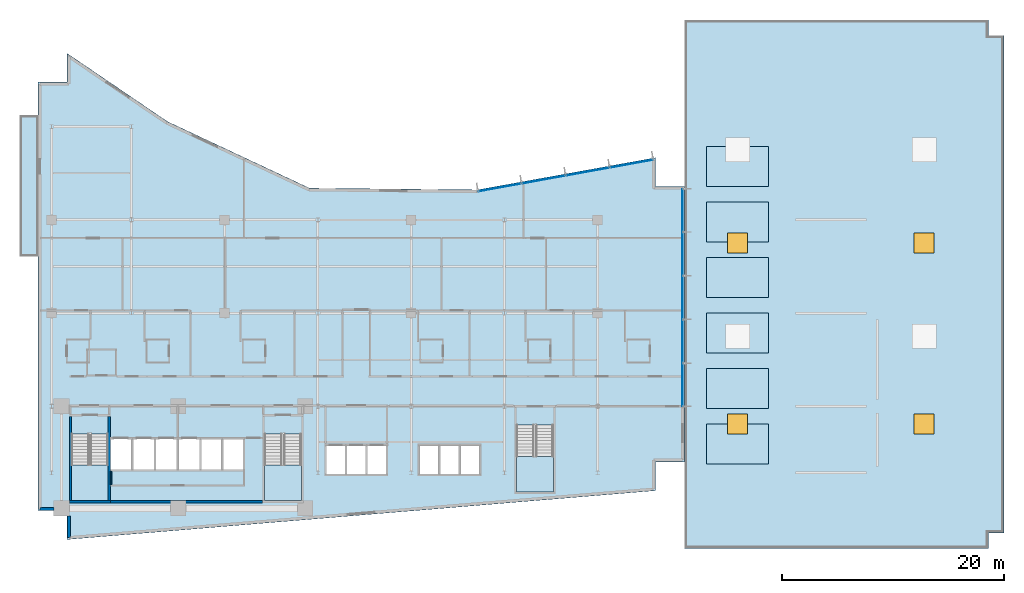
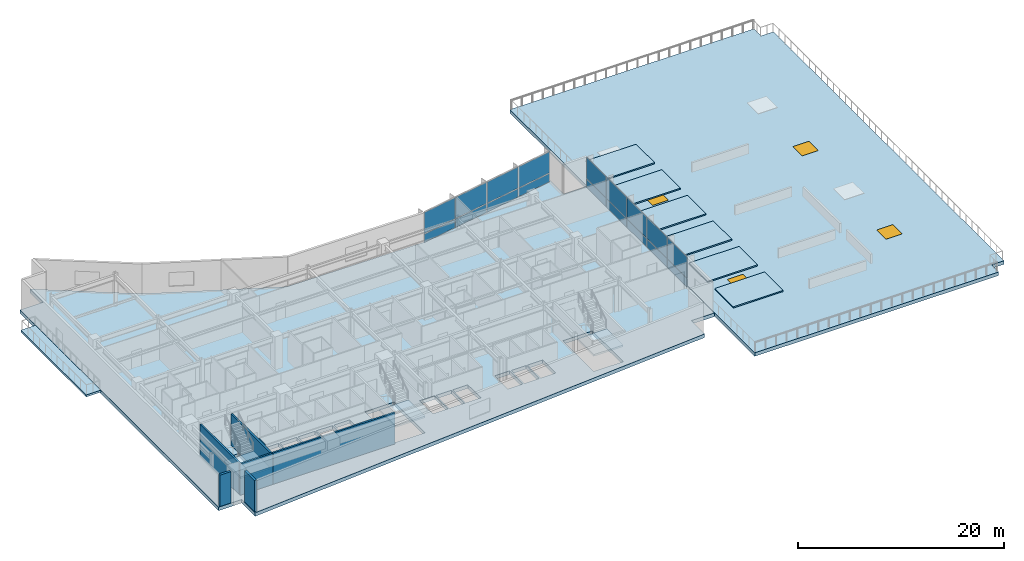
# One storey, part 9 of 20: 18 plates, 12 slabs, 7 walls, 4 windows, 4 openings, 5 elements without a shape of their own.
"""IFC4 building model written with IfcOpenShell, lengths in metres."""

from ifc_helpers import new_model, si_unit, direction, frame, frame_2d, origin, origin_2d, place, context, subcontext, project, spatial, polyline, rectangle, outline, extrude, material, layer, layer_set, type_object, element, fill, aggregate, save


model = new_model("IFC4")

# Units and contexts
model_context = context("Model", 3, precision=1e-05, world=origin(), true_north=direction((0.0, 1.0)))
body_context = subcontext(model_context, "Body", "Model", "MODEL_VIEW")
ifc_project = project(units=[si_unit("LENGTHUNIT", "METRE"), si_unit("AREAUNIT", "SQUARE_METRE"), si_unit("VOLUMEUNIT", "CUBIC_METRE"), si_unit("PLANEANGLEUNIT", "RADIAN"), si_unit("MASSUNIT", "GRAM", prefix="KILO")], contexts=[model_context])

# Site, building, storey
site_placement = place(None, origin())
site = spatial("IfcSite", under=ifc_project, at=site_placement, CompositionType="ELEMENT")
building_placement = place(site_placement, origin())
building = spatial("IfcBuilding", under=site, at=building_placement, Name="Varnakote Quay Hospital", CompositionType="ELEMENT")
storey_placement = place(building_placement, frame((0.0, 0.0, 22.5)))
storey = spatial("IfcBuildingStorey", under=building, at=storey_placement, Name="L05", CompositionType="ELEMENT", Elevation=22.5)

# Curtain wall, plates
ifc_material_1 = material(Name="Anodised aluminium 6063-T6 Bronze", Category="aluminium")
ifc_layer_1 = layer(ifc_material_1, 0.18994140625)
ifc_layer_set_1 = layer_set([ifc_layer_1], Name="Anodised aluminium 6063-T6 Bronze")
curtain_wall_type = type_object("IfcCurtainWallType", Name="CW-SYS-2", PredefinedType="NOTDEFINED", material=ifc_layer_set_1)
curtain_wall_1_placement = place(storey_placement, origin())
curtain_wall_1 = element("IfcCurtainWall", 1, at=curtain_wall_1_placement, inside=storey, type_object=curtain_wall_type, Name="L05 Unitised Bronze Curtain Wall 1", PredefinedType="NOTDEFINED")
ifc_material_2 = material(Name="Double-glazed acoustic laminated glass", Category="glass")
ifc_layer_2 = layer(ifc_material_2, 0.031982421875)
ifc_layer_set_2 = layer_set([ifc_layer_2], Name="Double-glazed acoustic laminated glass")
plate_type = type_object("IfcPlateType", Name="CW-PNL-GLZ-32", PredefinedType="CURTAIN_PANEL", material=ifc_layer_set_2)
plate_1_placement = place(storey_placement, frame((58.0400390625, 13.937744140625, 0.0751953125), z_axis=(0.0, 0.0, 1.0), x_axis=(0.0, 1.0, 0.0)))
plate_1 = element("IfcPlate", 2, at=plate_1_placement, type_object=plate_type, Name="-2-L05-1 panel 1.1", PredefinedType="CURTAIN_PANEL", context=body_context, shape_type="SweptSolid", body=[
    extrude(rectangle(XDim=3.825439453125, YDim=0.031982421875, at=origin_2d()), origin(), (0.0, 0.0, 1.0), 0.987548828125),
])
plate_2_placement = place(storey_placement, frame((58.0400390625, 13.937744140625, 1.137451171875), z_axis=(0.0, 0.0, 1.0), x_axis=(0.0, 1.0, 0.0)))
plate_2 = element("IfcPlate", 3, at=plate_2_placement, type_object=plate_type, Name="-2-L05-1 panel 1.2", PredefinedType="CURTAIN_PANEL", context=body_context, shape_type="SweptSolid", body=[
    extrude(rectangle(XDim=3.825439453125, YDim=0.031982421875, at=origin_2d()), origin(), (0.0, 0.0, 1.0), 2.49755859375),
])
plate_3_placement = place(storey_placement, frame((58.0400390625, 17.85693359375, 0.0751953125), z_axis=(0.0, 0.0, 1.0), x_axis=(0.0, 1.0, 0.0)))
plate_3 = element("IfcPlate", 4, at=plate_3_placement, type_object=plate_type, Name="-2-L05-1 panel 2.1", PredefinedType="CURTAIN_PANEL", context=body_context, shape_type="SweptSolid", body=[
    extrude(rectangle(XDim=3.863037109375, YDim=0.031982421875, at=origin_2d()), origin(), (0.0, 0.0, 1.0), 0.987548828125),
])
plate_4_placement = place(storey_placement, frame((58.0400390625, 17.85693359375, 1.137451171875), z_axis=(0.0, 0.0, 1.0), x_axis=(0.0, 1.0, 0.0)))
plate_4 = element("IfcPlate", 5, at=plate_4_placement, type_object=plate_type, Name="-2-L05-1 panel 2.2", PredefinedType="CURTAIN_PANEL", context=body_context, shape_type="SweptSolid", body=[
    extrude(rectangle(XDim=3.863037109375, YDim=0.031982421875, at=origin_2d()), origin(), (0.0, 0.0, 1.0), 2.49755859375),
])
plate_5_placement = place(storey_placement, frame((58.0400390625, 21.794921875, 0.0751953125), z_axis=(0.0, 0.0, 1.0), x_axis=(0.0, 1.0, 0.0)))
plate_5 = element("IfcPlate", 6, at=plate_5_placement, type_object=plate_type, Name="-2-L05-1 panel 3.1", PredefinedType="CURTAIN_PANEL", context=body_context, shape_type="SweptSolid", body=[
    extrude(rectangle(XDim=3.863037109375, YDim=0.031982421875, at=origin_2d()), origin(), (0.0, 0.0, 1.0), 0.987548828125),
])
plate_6_placement = place(storey_placement, frame((58.0400390625, 21.794921875, 1.137451171875), z_axis=(0.0, 0.0, 1.0), x_axis=(0.0, 1.0, 0.0)))
plate_6 = element("IfcPlate", 7, at=plate_6_placement, type_object=plate_type, Name="-2-L05-1 panel 3.2", PredefinedType="CURTAIN_PANEL", context=body_context, shape_type="SweptSolid", body=[
    extrude(rectangle(XDim=3.863037109375, YDim=0.031982421875, at=origin_2d()), origin(), (0.0, 0.0, 1.0), 2.49755859375),
])
plate_7_placement = place(storey_placement, frame((58.0400390625, 25.73291015625, 0.0751953125), z_axis=(0.0, 0.0, 1.0), x_axis=(0.0, 1.0, 0.0)))
plate_7 = element("IfcPlate", 8, at=plate_7_placement, type_object=plate_type, Name="-2-L05-1 panel 4.1", PredefinedType="CURTAIN_PANEL", context=body_context, shape_type="SweptSolid", body=[
    extrude(rectangle(XDim=3.863037109375, YDim=0.031982421875, at=origin_2d()), origin(), (0.0, 0.0, 1.0), 0.987548828125),
])
plate_8_placement = place(storey_placement, frame((58.0400390625, 25.73291015625, 1.137451171875), z_axis=(0.0, 0.0, 1.0), x_axis=(0.0, 1.0, 0.0)))
plate_8 = element("IfcPlate", 9, at=plate_8_placement, type_object=plate_type, Name="-2-L05-1 panel 4.2", PredefinedType="CURTAIN_PANEL", context=body_context, shape_type="SweptSolid", body=[
    extrude(rectangle(XDim=3.863037109375, YDim=0.031982421875, at=origin_2d()), origin(), (0.0, 0.0, 1.0), 2.49755859375),
])
plate_9_placement = place(storey_placement, frame((58.0400390625, 29.65234375, 0.0751953125), z_axis=(0.0, 0.0, 1.0), x_axis=(0.0, 1.0, 0.0)))
plate_9 = element("IfcPlate", 10, at=plate_9_placement, type_object=plate_type, Name="-2-L05-1 panel 5.1", PredefinedType="CURTAIN_PANEL", context=body_context, shape_type="SweptSolid", body=[
    extrude(rectangle(XDim=3.825439453125, YDim=0.031982421875, at=origin_2d()), origin(), (0.0, 0.0, 1.0), 0.987548828125),
])
plate_10_placement = place(storey_placement, frame((58.0400390625, 29.65234375, 1.137451171875), z_axis=(0.0, 0.0, 1.0), x_axis=(0.0, 1.0, 0.0)))
plate_10 = element("IfcPlate", 11, at=plate_10_placement, type_object=plate_type, Name="-2-L05-1 panel 5.2", PredefinedType="CURTAIN_PANEL", context=body_context, shape_type="SweptSolid", body=[
    extrude(rectangle(XDim=3.825439453125, YDim=0.031982421875, at=origin_2d()), origin(), (0.0, 0.0, 1.0), 2.49755859375),
])
aggregate(curtain_wall_1, [plate_1, plate_2, plate_3, plate_4, plate_5, plate_6, plate_7, plate_8, plate_9, plate_10])

curtain_wall_2_placement = place(storey_placement, origin())
curtain_wall_2 = element("IfcCurtainWall", 12, at=curtain_wall_2_placement, inside=storey, type_object=curtain_wall_type, Name="L05 Unitised Bronze Curtain Wall 2", PredefinedType="NOTDEFINED")
plate_11_placement = place(storey_placement, frame((53.440185546875, 33.84716796875, 0.0751953125), z_axis=(0.0, 0.0, 1.0), x_axis=(-0.984058295766, -0.177846199098, 0.0)))
plate_11 = element("IfcPlate", 13, at=plate_11_placement, type_object=plate_type, Name="-2-L05-2 panel 1.1", PredefinedType="CURTAIN_PANEL", context=body_context, shape_type="SweptSolid", body=[
    extrude(rectangle(XDim=3.914306640625, YDim=0.031982421875, at=origin_2d()), origin(), (0.0, 0.0, 1.0), 0.987548828125),
])
plate_12_placement = place(storey_placement, frame((53.440185546875, 33.84716796875, 1.137451171875), z_axis=(0.0, 0.0, 1.0), x_axis=(-0.984058295766, -0.177846199098, 0.0)))
plate_12 = element("IfcPlate", 14, at=plate_12_placement, type_object=plate_type, Name="-2-L05-2 panel 1.2", PredefinedType="CURTAIN_PANEL", context=body_context, shape_type="SweptSolid", body=[
    extrude(rectangle(XDim=3.914306640625, YDim=0.031982421875, at=origin_2d()), origin(), (0.0, 0.0, 1.0), 2.49755859375),
])
plate_13_placement = place(storey_placement, frame((49.49609375, 33.13427734375, 0.0751953125), z_axis=(0.0, 0.0, 1.0), x_axis=(-0.984058295766, -0.177846199098, 0.0)))
plate_13 = element("IfcPlate", 15, at=plate_13_placement, type_object=plate_type, Name="-2-L05-2 panel 2.1", PredefinedType="CURTAIN_PANEL", context=body_context, shape_type="SweptSolid", body=[
    extrude(rectangle(XDim=3.951904296875, YDim=0.031982421875, at=origin_2d()), origin(), (0.0, 0.0, 1.0), 0.987548828125),
])
plate_14_placement = place(storey_placement, frame((49.49609375, 33.13427734375, 1.137451171875), z_axis=(0.0, 0.0, 1.0), x_axis=(-0.984058295766, -0.177846199098, 0.0)))
plate_14 = element("IfcPlate", 16, at=plate_14_placement, type_object=plate_type, Name="-2-L05-2 panel 2.2", PredefinedType="CURTAIN_PANEL", context=body_context, shape_type="SweptSolid", body=[
    extrude(rectangle(XDim=3.951904296875, YDim=0.031982421875, at=origin_2d()), origin(), (0.0, 0.0, 1.0), 2.49755859375),
])
plate_15_placement = place(storey_placement, frame((45.533447265625, 32.418212890625, 0.0751953125), z_axis=(0.0, 0.0, 1.0), x_axis=(-0.984058295766, -0.177846199098, 0.0)))
plate_15 = element("IfcPlate", 17, at=plate_15_placement, type_object=plate_type, Name="-2-L05-2 panel 3.1", PredefinedType="CURTAIN_PANEL", context=body_context, shape_type="SweptSolid", body=[
    extrude(rectangle(XDim=3.951904296875, YDim=0.031982421875, at=origin_2d()), origin(), (0.0, 0.0, 1.0), 0.987548828125),
])
plate_16_placement = place(storey_placement, frame((45.533447265625, 32.418212890625, 1.137451171875), z_axis=(0.0, 0.0, 1.0), x_axis=(-0.984058295766, -0.177846199098, 0.0)))
plate_16 = element("IfcPlate", 18, at=plate_16_placement, type_object=plate_type, Name="-2-L05-2 panel 3.2", PredefinedType="CURTAIN_PANEL", context=body_context, shape_type="SweptSolid", body=[
    extrude(rectangle(XDim=3.951904296875, YDim=0.031982421875, at=origin_2d()), origin(), (0.0, 0.0, 1.0), 2.49755859375),
])
plate_17_placement = place(storey_placement, frame((41.58935546875, 31.705322265625, 0.0751953125), z_axis=(0.0, 0.0, 1.0), x_axis=(-0.984058295766, -0.177846199098, 0.0)))
plate_17 = element("IfcPlate", 19, at=plate_17_placement, type_object=plate_type, Name="-2-L05-2 panel 4.1", PredefinedType="CURTAIN_PANEL", context=body_context, shape_type="SweptSolid", body=[
    extrude(rectangle(XDim=3.914306640625, YDim=0.031982421875, at=origin_2d()), origin(), (0.0, 0.0, 1.0), 0.987548828125),
])
plate_18_placement = place(storey_placement, frame((41.58935546875, 31.705322265625, 1.137451171875), z_axis=(0.0, 0.0, 1.0), x_axis=(-0.984058295766, -0.177846199098, 0.0)))
plate_18 = element("IfcPlate", 20, at=plate_18_placement, type_object=plate_type, Name="-2-L05-2 panel 4.2", PredefinedType="CURTAIN_PANEL", context=body_context, shape_type="SweptSolid", body=[
    extrude(rectangle(XDim=3.914306640625, YDim=0.031982421875, at=origin_2d()), origin(), (0.0, 0.0, 1.0), 2.49755859375),
])
aggregate(curtain_wall_2, [plate_11, plate_12, plate_13, plate_14, plate_15, plate_16, plate_17, plate_18])

# Slabs
ifc_material_3 = material(Name="Concrete N40 (f'c 40 MPa)", Category="concrete")
ifc_layer_3 = layer(ifc_material_3, 0.14990234375)
ifc_layer_set_3 = layer_set([ifc_layer_3], Name="Concrete N40 (f'c 40 MPa)")
slab_type_1 = type_object("IfcSlabType", Name="SLB-PLANTER-150", PredefinedType="FLOOR", material=ifc_layer_set_3)
slab_1_placement = place(storey_placement, origin())
element("IfcSlab", 21, at=slab_1_placement, inside=storey, type_object=slab_type_1, Name="L05 Podium Garden Planter Bed 1", PredefinedType="FLOOR", context=body_context, shape_type="SweptSolid", body=[
    extrude(outline(polyline([(60.199951171875, 6.800048828125), (65.800048828125, 6.800048828125), (65.800048828125, 10.39990234375), (60.199951171875, 10.39990234375), (60.199951171875, 6.800048828125)])), origin(), (0.0, 0.0, 1.0), 0.14990234375),
])
slab_2_placement = place(storey_placement, origin())
element("IfcSlab", 22, at=slab_2_placement, inside=storey, type_object=slab_type_1, Name="L05 Podium Garden Planter Bed 2", PredefinedType="FLOOR", context=body_context, shape_type="SweptSolid", body=[
    extrude(outline(polyline([(60.199951171875, 11.800048828125), (65.800048828125, 11.800048828125), (65.800048828125, 15.39990234375), (60.199951171875, 15.39990234375), (60.199951171875, 11.800048828125)])), origin(), (0.0, 0.0, 1.0), 0.14990234375),
])
slab_3_placement = place(storey_placement, origin())
element("IfcSlab", 23, at=slab_3_placement, inside=storey, type_object=slab_type_1, Name="L05 Podium Garden Planter Bed 3", PredefinedType="FLOOR", context=body_context, shape_type="SweptSolid", body=[
    extrude(outline(polyline([(60.199951171875, 16.800048828125), (65.800048828125, 16.800048828125), (65.800048828125, 20.39990234375), (60.199951171875, 20.39990234375), (60.199951171875, 16.800048828125)])), origin(), (0.0, 0.0, 1.0), 0.14990234375),
])
slab_4_placement = place(storey_placement, origin())
element("IfcSlab", 24, at=slab_4_placement, inside=storey, type_object=slab_type_1, Name="L05 Podium Garden Planter Bed 4", PredefinedType="FLOOR", context=body_context, shape_type="SweptSolid", body=[
    extrude(outline(polyline([(60.199951171875, 21.800048828125), (65.800048828125, 21.800048828125), (65.800048828125, 25.39990234375), (60.199951171875, 25.39990234375), (60.199951171875, 21.800048828125)])), origin(), (0.0, 0.0, 1.0), 0.14990234375),
])
slab_5_placement = place(storey_placement, origin())
element("IfcSlab", 25, at=slab_5_placement, inside=storey, type_object=slab_type_1, Name="L05 Podium Garden Planter Bed 5", PredefinedType="FLOOR", context=body_context, shape_type="SweptSolid", body=[
    extrude(outline(polyline([(60.199951171875, 26.800048828125), (65.800048828125, 26.800048828125), (65.800048828125, 30.39990234375), (60.199951171875, 30.39990234375), (60.199951171875, 26.800048828125)])), origin(), (0.0, 0.0, 1.0), 0.14990234375),
])
slab_6_placement = place(storey_placement, origin())
element("IfcSlab", 26, at=slab_6_placement, inside=storey, type_object=slab_type_1, Name="L05 Podium Garden Planter Bed 6", PredefinedType="FLOOR", context=body_context, shape_type="SweptSolid", body=[
    extrude(outline(polyline([(60.199951171875, 31.800048828125), (65.800048828125, 31.800048828125), (65.800048828125, 35.39990234375), (60.199951171875, 35.39990234375), (60.199951171875, 31.800048828125)])), origin(), (0.0, 0.0, 1.0), 0.14990234375),
])

# Slab, openings, windows
ifc_material_4 = material(Name="Concrete N50 (f'c 50 MPa)", Category="concrete")
ifc_layer_4 = layer(ifc_material_4, 0.419921875)
ifc_layer_set_4 = layer_set([ifc_layer_4], Name="Concrete N50 (f'c 50 MPa)")
slab_type_2 = type_object("IfcSlabType", Name="SLB-ROOF-SETBACK-280", PredefinedType="ROOF", material=ifc_layer_set_4)
slab_7_placement = place(storey_placement, frame((0.0, 0.0, -0.419921875)))
slab_7 = element("IfcSlab", 27, at=slab_7_placement, inside=storey, type_object=slab_type_2, Name="L05 East Podium Skylight Weatherproof Setback Roof Slab", PredefinedType="ROOF", context=body_context, shape_type="SweptSolid", body=[
    extrude(outline(polyline([(85.60009765625, 46.800048828125), (58.219970703125, 46.800048828125), (58.219970703125, 31.800048828125), (58.219970703125, 31.800048828125), (58.219970703125, 7.0), (58.219970703125, 7.0), (58.219970703125, -0.800048828125), (85.60009765625, -0.800048828125), (85.60009765625, 0.60009765625), (87.0, 0.60009765625), (87.0, 45.39990234375), (85.60009765625, 45.39990234375), (85.60009765625, 46.800048828125)])), origin(), (0.0, 0.0, 1.0), 0.419921875),
])
opening_1_placement = place(slab_7_placement, frame((63.0, 10.39990234375, 0.0)))
opening_1 = element("IfcOpeningElement", 28, at=opening_1_placement, cuts=slab_7, Name="Opening SK-L05-1", PredefinedType="OPENING", context=body_context, shape_type="SweptSolid", body=[
    extrude(rectangle(XDim=1.800048828125, YDim=1.800048828125, at=origin_2d()), origin(), (0.0, 0.0, 1.0), 0.419921875),
])
opening_2_placement = place(slab_7_placement, frame((79.800048828125, 10.39990234375, 0.0)))
opening_2 = element("IfcOpeningElement", 29, at=opening_2_placement, cuts=slab_7, Name="Opening SK-L05-2", PredefinedType="OPENING", context=body_context, shape_type="SweptSolid", body=[
    extrude(rectangle(XDim=1.800048828125, YDim=1.800048828125, at=origin_2d()), origin(), (0.0, 0.0, 1.0), 0.419921875),
])
opening_3_placement = place(slab_7_placement, frame((63.0, 26.699951171875, 0.0)))
opening_3 = element("IfcOpeningElement", 30, at=opening_3_placement, cuts=slab_7, Name="Opening SK-L05-3", PredefinedType="OPENING", context=body_context, shape_type="SweptSolid", body=[
    extrude(rectangle(XDim=1.800048828125, YDim=1.800048828125, at=origin_2d()), origin(), (0.0, 0.0, 1.0), 0.419921875),
])
opening_4_placement = place(slab_7_placement, frame((79.800048828125, 26.699951171875, 0.0)))
opening_4 = element("IfcOpeningElement", 31, at=opening_4_placement, cuts=slab_7, Name="Opening SK-L05-4", PredefinedType="OPENING", context=body_context, shape_type="SweptSolid", body=[
    extrude(rectangle(XDim=1.800048828125, YDim=1.800048828125, at=origin_2d()), origin(), (0.0, 0.0, 1.0), 0.419921875),
])
ifc_material_5 = material(Name="Double-glazed laminated skylight glass", Category="glass")
window_type = type_object("IfcWindowType", Name="WIN-SKY-1800x1800", PartitioningType="SINGLE_PANEL", PredefinedType="SKYLIGHT", material=ifc_material_5)
window_1_placement = place(opening_1_placement, frame((0.0, 0.0, 0.369873046875)))
window_1 = element("IfcWindow", 32, at=window_1_placement, inside=storey, type_object=window_type, Name="L05 East Podium Daylight Skylight 1", OverallHeight=1.800048828125, OverallWidth=1.800048828125, PartitioningType="SINGLE_PANEL", PredefinedType="SKYLIGHT", context=body_context, shape_type="SweptSolid", body=[
    extrude(rectangle(XDim=1.800048828125, YDim=1.800048828125, at=origin_2d()), origin(), (0.0, 0.0, 1.0), 0.050048828125),
])
fill(opening_1, window_1)
window_2_placement = place(opening_2_placement, frame((0.0, 0.0, 0.369873046875)))
window_2 = element("IfcWindow", 33, at=window_2_placement, inside=storey, type_object=window_type, Name="L05 East Podium Daylight Skylight 2", OverallHeight=1.800048828125, OverallWidth=1.800048828125, PartitioningType="SINGLE_PANEL", PredefinedType="SKYLIGHT", context=body_context, shape_type="SweptSolid", body=[
    extrude(rectangle(XDim=1.800048828125, YDim=1.800048828125, at=origin_2d()), origin(), (0.0, 0.0, 1.0), 0.050048828125),
])
fill(opening_2, window_2)
window_3_placement = place(opening_3_placement, frame((0.0, 0.0, 0.369873046875)))
window_3 = element("IfcWindow", 34, at=window_3_placement, inside=storey, type_object=window_type, Name="L05 East Podium Daylight Skylight 3", OverallHeight=1.800048828125, OverallWidth=1.800048828125, PartitioningType="SINGLE_PANEL", PredefinedType="SKYLIGHT", context=body_context, shape_type="SweptSolid", body=[
    extrude(rectangle(XDim=1.800048828125, YDim=1.800048828125, at=origin_2d()), origin(), (0.0, 0.0, 1.0), 0.050048828125),
])
fill(opening_3, window_3)
window_4_placement = place(opening_4_placement, frame((0.0, 0.0, 0.369873046875)))
window_4 = element("IfcWindow", 35, at=window_4_placement, inside=storey, type_object=window_type, Name="L05 East Podium Daylight Skylight 4", OverallHeight=1.800048828125, OverallWidth=1.800048828125, PartitioningType="SINGLE_PANEL", PredefinedType="SKYLIGHT", context=body_context, shape_type="SweptSolid", body=[
    extrude(rectangle(XDim=1.800048828125, YDim=1.800048828125, at=origin_2d()), origin(), (0.0, 0.0, 1.0), 0.050048828125),
])
fill(opening_4, window_4)

# Stair, slab
ifc_material_6 = material(Name="Concrete N40 (f'c 40 MPa)", Category="concrete")
stair_type = type_object("IfcStairType", Name="STR-CORE-1580", PredefinedType="HALF_TURN_STAIR", material=ifc_material_6)
stair_1_placement = place(storey_placement, origin())
stair_1 = element("IfcStair", 36, at=stair_1_placement, inside=storey, type_object=stair_type, Name="L05 Fire-Isolated Exit Stair ST-01", PredefinedType="HALF_TURN_STAIR")
ifc_material_7 = material(Name="Concrete N40 (f'c 40 MPa)", Category="concrete")
ifc_layer_5 = layer(ifc_material_7, 0.199951171875)
ifc_layer_set_5 = layer_set([ifc_layer_5], Name="Concrete N40 (f'c 40 MPa)")
slab_type_3 = type_object("IfcSlabType", Name="SLB-STAIR-LND-200", PredefinedType="LANDING", material=ifc_layer_set_5)
slab_8_placement = place(storey_placement, frame((0.0, 0.0, 1.77490234375)))
slab_8 = element("IfcSlab", 37, at=slab_8_placement, type_object=slab_type_3, Name="ST-01 landing 1", PredefinedType="LANDING", context=body_context, shape_type="SweptSolid", body=[
    extrude(outline(polyline([(3.0, 6.699951171875), (3.0, 3.5), (6.300048828125, 3.5), (6.300048828125, 6.699951171875), (3.0, 6.699951171875)])), origin(), (0.0, 0.0, 1.0), 0.2001953125),
])
aggregate(stair_1, [slab_8])

stair_2_placement = place(storey_placement, origin())
stair_2 = element("IfcStair", 38, at=stair_2_placement, inside=storey, type_object=stair_type, Name="L05 Fire-Isolated Exit Stair ST-02", PredefinedType="HALF_TURN_STAIR")
slab_9_placement = place(storey_placement, frame((0.0, 0.0, 1.77490234375)))
slab_9 = element("IfcSlab", 39, at=slab_9_placement, type_object=slab_type_3, Name="ST-02 landing 1", PredefinedType="LANDING", context=body_context, shape_type="SweptSolid", body=[
    extrude(outline(polyline([(20.39990234375, 6.699951171875), (20.39990234375, 3.5), (23.699951171875, 3.5), (23.699951171875, 6.699951171875), (20.39990234375, 6.699951171875)])), origin(), (0.0, 0.0, 1.0), 0.2001953125),
])
aggregate(stair_2, [slab_9])

stair_3_placement = place(storey_placement, origin())
stair_3 = element("IfcStair", 40, at=stair_3_placement, inside=storey, type_object=stair_type, Name="L05 Fire-Isolated Exit Stair ST-03", PredefinedType="HALF_TURN_STAIR")
slab_10_placement = place(storey_placement, frame((0.0, 0.0, 1.77490234375)))
slab_10 = element("IfcSlab", 41, at=slab_10_placement, type_object=slab_type_3, Name="ST-03 landing 1", PredefinedType="LANDING", context=body_context, shape_type="SweptSolid", body=[
    extrude(outline(polyline([(43.10009765625, 7.5), (43.10009765625, 4.300048828125), (46.39990234375, 4.300048828125), (46.39990234375, 7.5), (43.10009765625, 7.5)])), origin(), (0.0, 0.0, 1.0), 0.2001953125),
])
aggregate(stair_3, [slab_10])

# Slabs
ifc_material_8 = material(Name="Concrete N50 (f'c 50 MPa)", Category="concrete")
ifc_layer_6 = layer(ifc_material_8, 0.239990234375)
ifc_layer_set_6 = layer_set([ifc_layer_6], Name="Concrete N50 (f'c 50 MPa)")
slab_type_4 = type_object("IfcSlabType", Name="SLB-TERR-200", PredefinedType="FLOOR", material=ifc_layer_set_6)
slab_11_placement = place(storey_placement, frame((0.0, 0.0, -0.239990234375)))
element("IfcSlab", 42, at=slab_11_placement, inside=storey, type_object=slab_type_4, Name="L05 Waterfront Healing Terrace Slab", PredefinedType="FLOOR", context=body_context, shape_type="SweptSolid", body=[
    extrude(outline(polyline([(0.00390625, 25.5), (0.00390625, 38.199951171875), (-1.639892578125, 38.199951171875), (-1.639892578125, 25.5), (0.00390625, 25.5)])), origin(), (0.0, 0.0, 1.0), 0.239990234375),
])
ifc_material_9 = material(Name="Concrete N65 (f'c 65 MPa)", Category="concrete")
ifc_layer_7 = layer(ifc_material_9, 0.419921875)
ifc_layer_set_7 = layer_set([ifc_layer_7], Name="Concrete N65 (f'c 65 MPa)")
slab_type_5 = type_object("IfcSlabType", Name="SLB-XFER-420", PredefinedType="FLOOR", material=ifc_layer_set_7)
slab_12_placement = place(storey_placement, frame((0.0, 0.0, -0.419921875)))
element("IfcSlab", 43, at=slab_12_placement, inside=storey, type_object=slab_type_5, Name="L05 Primary Floor Slab", PredefinedType="FLOOR", context=body_context, shape_type="SweptSolid", body=[
    extrude(outline(polyline([(0.0, 2.60009765625), (2.60009765625, 2.60009765625), (2.60009765625, 0.0), (55.60009765625, 4.39990234375), (55.60009765625, 7.0), (58.199951171875, 7.0), (58.199951171875, 31.800048828125), (55.60009765625, 31.800048828125), (55.60009765625, 34.39990234375), (39.575927734375, 31.50390625), (24.444091796875, 31.652099609375), (11.639892578125, 37.656005859375), (2.60009765625, 43.800048828125), (2.60009765625, 41.199951171875), (0.0, 41.199951171875), (0.0, 2.60009765625)]), holes=[polyline([(3.0, 3.5), (6.300048828125, 3.5), (6.300048828125, 9.49951171875), (3.0, 9.49951171875), (3.0, 3.5)]), polyline([(20.39990234375, 3.5), (23.699951171875, 3.5), (23.699951171875, 9.49951171875), (20.39990234375, 9.49951171875), (20.39990234375, 3.5)]), polyline([(43.10009765625, 4.300048828125), (46.39990234375, 4.300048828125), (46.39990234375, 10.29931640625), (43.10009765625, 10.29931640625), (43.10009765625, 4.300048828125)]), polyline([(6.5, 6.300048828125), (8.39990234375, 6.300048828125), (8.39990234375, 9.050048828125), (6.5, 9.050048828125), (6.5, 6.300048828125)]), polyline([(8.550048828125, 6.300048828125), (10.449951171875, 6.300048828125), (10.449951171875, 9.050048828125), (8.550048828125, 9.050048828125), (8.550048828125, 6.300048828125)]), polyline([(10.60009765625, 6.300048828125), (12.5, 6.300048828125), (12.5, 9.050048828125), (10.60009765625, 9.050048828125), (10.60009765625, 6.300048828125)]), polyline([(12.64990234375, 6.300048828125), (14.550048828125, 6.300048828125), (14.550048828125, 9.050048828125), (12.64990234375, 9.050048828125), (12.64990234375, 6.300048828125)]), polyline([(14.699951171875, 6.300048828125), (16.5, 6.300048828125), (16.5, 9.050048828125), (14.699951171875, 9.050048828125), (14.699951171875, 6.300048828125)]), polyline([(16.64990234375, 6.300048828125), (18.449951171875, 6.300048828125), (18.449951171875, 9.050048828125), (16.64990234375, 9.050048828125), (16.64990234375, 6.300048828125)]), polyline([(25.949951171875, 5.89990234375), (27.64990234375, 5.89990234375), (27.64990234375, 8.449951171875), (25.949951171875, 8.449951171875), (25.949951171875, 5.89990234375)]), polyline([(27.800048828125, 5.89990234375), (29.5, 5.89990234375), (29.5, 8.449951171875), (27.800048828125, 8.449951171875), (27.800048828125, 5.89990234375)]), polyline([(29.64990234375, 5.89990234375), (31.35009765625, 5.89990234375), (31.35009765625, 8.449951171875), (29.64990234375, 8.449951171875), (29.64990234375, 5.89990234375)]), polyline([(34.35009765625, 5.89990234375), (36.050048828125, 5.89990234375), (36.050048828125, 8.449951171875), (34.35009765625, 8.449951171875), (34.35009765625, 5.89990234375)]), polyline([(36.199951171875, 5.89990234375), (37.89990234375, 5.89990234375), (37.89990234375, 8.449951171875), (36.199951171875, 8.449951171875), (36.199951171875, 5.89990234375)]), polyline([(38.050048828125, 5.89990234375), (39.75, 5.89990234375), (39.75, 8.449951171875), (38.050048828125, 8.449951171875), (38.050048828125, 5.89990234375)])]), origin(), (0.0, 0.0, 1.0), 0.419921875),
])

# Walls
ifc_material_10 = material(Name="Concrete N80 (f'c 80 MPa)", Category="concrete")
ifc_layer_8 = layer(ifc_material_10, 0.199951171875)
ifc_layer_set_8 = layer_set([ifc_layer_8], Name="Concrete N80 (f'c 80 MPa)")
wall_type_1 = type_object("IfcWallType", Name="WL-CORE-N80-200", PredefinedType="SHEAR", material=ifc_layer_set_8)
wall_1_placement = place(storey_placement, frame((6.5, 3.39990234375, 0.0), z_axis=(0.0, 0.0, 1.0), x_axis=(1.0, 0.0, 0.0)))
element("IfcWall", 44, at=wall_1_placement, inside=storey, type_object=wall_type_1, Name="L05 Rear Core South Shear Wall", PredefinedType="SHEAR", context=body_context, shape_type="SweptSolid", body=[
    extrude(rectangle(XDim=13.699951171875, YDim=0.199951171875, at=frame_2d((6.85009765625, 0.0))), origin(), (0.0, 0.0, 1.0), 3.7099609375),
])
ifc_material_11 = material(Name="Precast concrete N50 (f'c 50 MPa)", Category="concrete")
ifc_layer_9 = layer(ifc_material_11, 0.260009765625)
ifc_layer_set_9 = layer_set([ifc_layer_9], Name="Precast concrete N50 (f'c 50 MPa)")
wall_type_2 = type_object("IfcWallType", Name="WL-EXT-BRICK-260", PredefinedType="STANDARD", material=ifc_layer_set_9)
wall_2_placement = place(storey_placement, frame((2.760009765625, 2.114990234375, 0.0), z_axis=(0.0, 0.0, 1.0), x_axis=(0.0, -1.0, 0.0)))
element("IfcWall", 45, at=wall_2_placement, inside=storey, type_object=wall_type_2, Name="L05 Brick-Faced Precast Exterior Wall", PredefinedType="STANDARD", context=body_context, shape_type="SweptSolid", body=[
    extrude(rectangle(XDim=1.941162109375, YDim=0.260009765625, at=frame_2d((0.970703125, 0.0))), origin(), (0.0, 0.0, 1.0), 3.7099609375),
])
wall_3_placement = place(storey_placement, frame((0.159912109375, 2.760009765625, 0.0), z_axis=(0.0, 0.0, 1.0), x_axis=(1.0, 0.0, 0.0)))
element("IfcWall", 46, at=wall_3_placement, inside=storey, type_object=wall_type_2, Name="L05 Brick-Faced Precast Exterior Wall", PredefinedType="STANDARD", context=body_context, shape_type="SweptSolid", body=[
    extrude(rectangle(XDim=1.255126953125, YDim=0.260009765625, at=frame_2d((0.62744140625, 0.0))), origin(), (0.0, 0.0, 1.0), 3.7099609375),
])
ifc_material_12 = material(Name="Concrete N50 (f'c 50 MPa)", Category="concrete")
ifc_layer_10 = layer(ifc_material_12, 0.199951171875)
ifc_layer_set_10 = layer_set([ifc_layer_10], Name="Concrete N50 (f'c 50 MPa)")
wall_type_3 = type_object("IfcWallType", Name="WL-SHAFT-N50-200", PredefinedType="SHEAR", material=ifc_layer_set_10)
wall_4_placement = place(storey_placement, frame((2.800048828125, 3.39990234375, 0.0), z_axis=(0.0, 0.0, 1.0), x_axis=(1.0, 0.0, 0.0)))
element("IfcWall", 47, at=wall_4_placement, inside=storey, type_object=wall_type_3, Name="L05 Stair ST1 South Shaft Wall", PredefinedType="SHEAR", context=body_context, shape_type="SweptSolid", body=[
    extrude(rectangle(XDim=3.699951171875, YDim=0.199951171875, at=frame_2d((1.85009765625, 0.0))), origin(), (0.0, 0.0, 1.0), 3.7099609375),
])
for number, where, z_axis, x_axis, name in (
    (48, (2.89990234375, 3.5, 0.0), (0.0, 0.0, 1.0), (0.0, 1.0, 0.0), "L05 Stair ST1 West Shaft Wall"),
    (49, (6.39990234375, 3.5, 0.0), (0.0, 0.0, 1.0), (0.0, 1.0, 0.0), "L05 Stair ST1 East Shaft Wall"),
):
    element("IfcWall", number, at=place(storey_placement, frame(where, z_axis=z_axis, x_axis=x_axis)), inside=storey, type_object=wall_type_3, Name=name, PredefinedType="SHEAR", context=body_context, shape_type="SweptSolid", body=[
        extrude(rectangle(XDim=7.60009765625, YDim=0.199951171875, at=frame_2d((3.800048828125, 0.0))), origin(), (0.0, 0.0, 1.0), 3.7099609375),
    ])
ifc_material_13 = material(Name="Smoke-proof clinical partition", Category="gypsum")
ifc_layer_11 = layer(ifc_material_13, 0.1201171875)
ifc_layer_set_11 = layer_set([ifc_layer_11], Name="Smoke-proof clinical partition")
wall_type_4 = type_object("IfcWallType", Name="WL-SMOKE-120", PredefinedType="PARTITIONING", material=ifc_layer_set_11)
wall_5_placement = place(storey_placement, frame((6.56005859375, 4.919921875, 0.0), z_axis=(0.0, 0.0, 1.0), x_axis=(0.0, 1.0, 0.0)))
element("IfcWall", 50, at=wall_5_placement, inside=storey, type_object=wall_type_4, Name="L05 Core Service Strip West Wall", PredefinedType="PARTITIONING", context=body_context, shape_type="SweptSolid", body=[
    extrude(rectangle(XDim=1.219970703125, YDim=0.1201171875, at=frame_2d((0.60986328125, 0.0))), origin(), (0.0, 0.0, 1.0), 3.7099609375),
])

save(model, "model.ifc")
